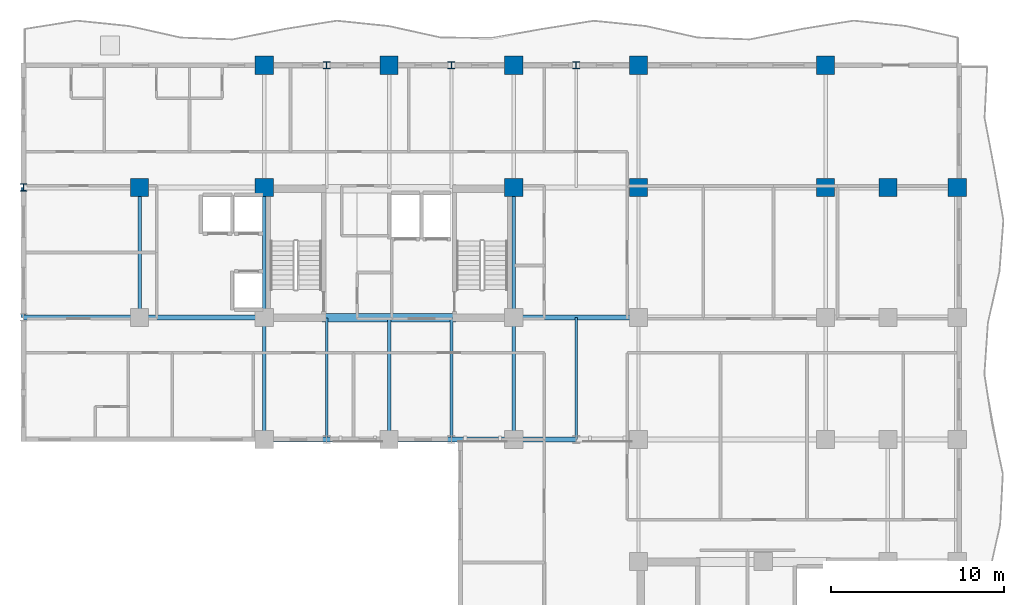
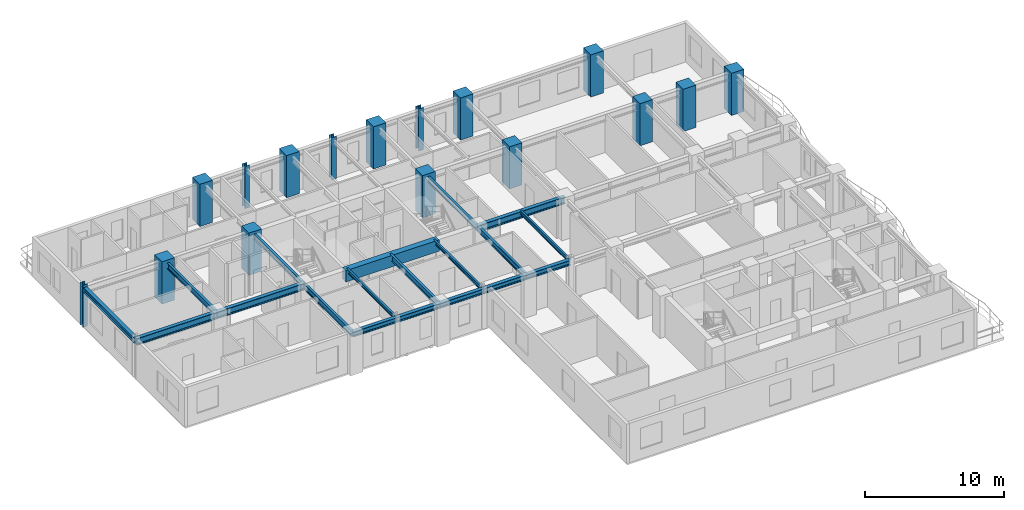
# One storey, part 2 of 13: 19 beams, 16 columns.
"""IFC4 building model written with IfcOpenShell, lengths in metres."""

import ifcopenshell
import ifcopenshell.guid

model = None  # the IFC model being written
_history = None  # IfcOwnerHistory: only IFC2X3 demands one
_inside = {}  # id of a spatial element -> (the spatial element, [elements in it])
_under = {}  # id of a project, library or spatial element -> (it, [spatial elements below it])
_declared = {}  # id of a project -> (the project, [libraries it declares])
_typed = {}  # id of a type object -> (the type object, [elements of that type])
_made_of = {}  # id of a material, layer set ... -> (it, [elements and type objects made of it])


def new_model(schema):
    """Start an empty IFC model of exactly this schema.

    Asked for "IFC4X3", IfcOpenShell would pick the latest addendum, in which some entities
    have other attributes; the version numbers below select the first issue.
    IFC2X3 requires an IfcOwnerHistory on every rooted entity: one is made here for all.
    """
    global model, _history
    if schema == "IFC4X3":
        model = ifcopenshell.file(schema_version=(4, 3, 0, 0))
    else:
        model = ifcopenshell.file(schema=schema)
    _inside.clear()
    _under.clear()
    _declared.clear()
    _typed.clear()
    _made_of.clear()
    _history = None
    if model.schema == "IFC2X3":
        org = make("IfcOrganization", Name="unknown")
        user = make(
            "IfcPersonAndOrganization",
            ThePerson=make("IfcPerson", FamilyName="unknown"),
            TheOrganization=org,
        )
        app = make(
            "IfcApplication",
            ApplicationDeveloper=org,
            Version="unknown",
            ApplicationFullName="unknown",
            ApplicationIdentifier="unknown",
        )
        _history = make(
            "IfcOwnerHistory",
            OwningUser=user,
            OwningApplication=app,
            ChangeAction="ADDED",
            CreationDate=0,
        )
    return model


def make(cls, **values):
    """One entity of the class cls with the attributes given. An attribute that is None is left unset."""
    return model.create_entity(
        cls, **{name: value for name, value in values.items() if value is not None}
    )


def rooted(cls, **values):
    """An entity with a GlobalId (a new one), such as an element, a storey or a relation."""
    return make(cls, GlobalId=ifcopenshell.guid.new(), OwnerHistory=_history, **values)


def si_unit(unit_type, name, prefix=None):
    """IfcSIUnit, for example si_unit("LENGTHUNIT", "METRE", prefix="MILLI")."""
    return make("IfcSIUnit", UnitType=unit_type, Prefix=prefix, Name=name)


def assignment(units):
    """IfcUnitAssignment: the units of a project."""
    return None if units is None else make("IfcUnitAssignment", Units=units)


def point(xyz):
    """IfcCartesianPoint."""
    return None if xyz is None else make("IfcCartesianPoint", Coordinates=xyz)


def direction(xyz):
    """IfcDirection."""
    return None if xyz is None else make("IfcDirection", DirectionRatios=xyz)


def frame(location, z_axis=None, x_axis=None):
    """IfcAxis2Placement3D, a coordinate frame: its origin and axes. An axis left out is left unset."""
    return make(
        "IfcAxis2Placement3D",
        Location=point(location),
        Axis=direction(z_axis),
        RefDirection=direction(x_axis),
    )


def frame_2d(location, x_axis=None):
    """IfcAxis2Placement2D, a coordinate frame in the plane: its origin and x axis."""
    return make(
        "IfcAxis2Placement2D", Location=point(location), RefDirection=direction(x_axis)
    )


def origin():
    """The frame at (0, 0, 0) with its axes left unset."""
    return frame((0.0, 0.0, 0.0))


def origin_2d():
    """The frame at (0, 0) in the plane with its x axis left unset."""
    return frame_2d((0.0, 0.0))


def place(relative_to, where):
    """IfcLocalPlacement: puts the frame where relative to a parent placement (None: the world)."""
    return make(
        "IfcLocalPlacement", PlacementRelTo=relative_to, RelativePlacement=where
    )


def context(
    kind, dimensions, precision=None, world=None, true_north=None, identifier=None
):
    """IfcGeometricRepresentationContext, for example the 3D "Model" context."""
    return make(
        "IfcGeometricRepresentationContext",
        ContextIdentifier=identifier,
        ContextType=kind,
        CoordinateSpaceDimension=dimensions,
        Precision=precision,
        WorldCoordinateSystem=world,
        TrueNorth=true_north,
    )


def subcontext(parent, identifier, kind, view, scale=None):
    """IfcGeometricRepresentationSubContext, for example "Body" below "Model"."""
    return make(
        "IfcGeometricRepresentationSubContext",
        ContextIdentifier=identifier,
        ContextType=kind,
        ParentContext=parent,
        TargetScale=scale,
        TargetView=view,
    )


def project(units=None, contexts=None):
    """IfcProject with its units and contexts."""
    return rooted(
        "IfcProject",
        Name="project",
        RepresentationContexts=contexts,
        UnitsInContext=assignment(units),
    )


def spatial(cls, under=None, at=None, **own):
    """A site, building, storey or space (cls), placed at a placement, below another one or the project."""
    s = rooted(cls, ObjectPlacement=at, **own)
    if under is not None:
        _under.setdefault(under.id(), (under, []))[1].append(s)
    return s


def profile(cls, at=None, kind="AREA", **sizes):
    """A parametric profile (cls). Its sizes go by their IFC names, for example OverallWidth=200.0."""
    return make(cls, ProfileType=kind, Position=at, **sizes)


def rectangle(**sizes):
    """IfcRectangleProfileDef."""
    return profile("IfcRectangleProfileDef", **sizes)


def i_section(**sizes):
    """IfcIShapeProfileDef."""
    return profile("IfcIShapeProfileDef", **sizes)


def extrude(swept, where, along, depth):
    """IfcExtrudedAreaSolid: the profile swept, set in the frame where, extruded along a direction by depth."""
    return make(
        "IfcExtrudedAreaSolid",
        SweptArea=swept,
        Position=where,
        ExtrudedDirection=direction(along),
        Depth=depth,
    )


def shape(context_of_items, identifier, shape_type, items):
    """IfcShapeRepresentation: the items that make up one representation, for example the "Body"."""
    return make(
        "IfcShapeRepresentation",
        ContextOfItems=context_of_items,
        RepresentationIdentifier=identifier,
        RepresentationType=shape_type,
        Items=items,
    )


def source(mapping_origin, context_of_items, identifier, shape_type, items):
    """IfcRepresentationMap: a shape defined once, which mapped items show again and again."""
    return make(
        "IfcRepresentationMap",
        MappingOrigin=mapping_origin,
        MappedRepresentation=shape(context_of_items, identifier, shape_type, items),
    )


def transform(
    local_origin,
    x_axis=None,
    y_axis=None,
    z_axis=None,
    scale=None,
    scale2=None,
    scale3=None,
    uniform=True,
):
    """IfcCartesianTransformationOperator3D, or its non-uniform kind. x_axis, y_axis, z_axis: its Axis1, 2, 3."""
    if uniform:
        return make(
            "IfcCartesianTransformationOperator3D",
            Axis1=direction(x_axis),
            Axis2=direction(y_axis),
            LocalOrigin=point(local_origin),
            Scale=scale,
            Axis3=direction(z_axis),
        )
    return make(
        "IfcCartesianTransformationOperator3DnonUniform",
        Axis1=direction(x_axis),
        Axis2=direction(y_axis),
        LocalOrigin=point(local_origin),
        Scale=scale,
        Axis3=direction(z_axis),
        Scale2=scale2,
        Scale3=scale3,
    )


def mapped(mapping_source, mapping_target):
    """IfcMappedItem: shows the shape of a source again, moved by a transform."""
    return make(
        "IfcMappedItem", MappingSource=mapping_source, MappingTarget=mapping_target
    )


def material(Name=None, Category=None):
    """IfcMaterial."""
    return make("IfcMaterial", Name=Name, Category=Category)


def material_profile(
    of_material, cross_section, Name=None, Category=None, Priority=None
):
    """IfcMaterialProfile: a cross section and its material."""
    return make(
        "IfcMaterialProfile",
        Name=Name,
        Material=of_material,
        Profile=cross_section,
        Priority=Priority,
        Category=Category,
    )


def profile_set(profiles, Name=None, composite=None):
    """IfcMaterialProfileSet."""
    return make(
        "IfcMaterialProfileSet",
        Name=Name,
        MaterialProfiles=profiles,
        CompositeProfile=composite,
    )


def made_of(thing, what):
    """Note that an element or type object is made of a material, layer set ...; save() writes the relation."""
    if what is not None:
        _made_of.setdefault(what.id(), (what, []))[1].append(thing)
    return thing


def type_object(cls, material=None, **own):
    """A type object (cls), such as IfcWallType, which elements share."""
    return made_of(rooted(cls, **own), material)


def element(
    cls,
    number,
    at=None,
    inside=None,
    cuts=None,
    type_object=None,
    material=None,
    context=None,
    identifier="Body",
    shape_type=None,
    held_by="IfcProductDefinitionShape",
    body=None,
    shapes=None,
    **own,
):
    """One element of the class cls, such as IfcWall. Its Tag is "e" and its number.

    at: its placement. inside: the storey or other place that contains it. cuts: it is an
    opening in that element (IfcRelVoidsElement). A single representation is given by context,
    identifier, shape_type and body (its items); several are given by shapes. held_by: the class
    of the entity that holds the representations. save() writes the other relations.
    """
    e = rooted(cls, Tag="e%d" % number, ObjectPlacement=at, **own)
    if body is not None:
        shapes = [shape(context, identifier, shape_type, body)]
    if shapes is not None:
        e.Representation = make(held_by, Representations=shapes)
    if inside is not None:
        _inside.setdefault(inside.id(), (inside, []))[1].append(e)
    if cuts is not None:
        rooted(
            "IfcRelVoidsElement", RelatingBuildingElement=cuts, RelatedOpeningElement=e
        )
    if type_object is not None:
        _typed.setdefault(type_object.id(), (type_object, []))[1].append(e)
    return made_of(e, material)


def aggregate(whole, parts):
    """IfcRelAggregates: a whole, such as a stair, and the parts it consists of."""
    return rooted("IfcRelAggregates", RelatingObject=whole, RelatedObjects=parts)


def save(model, path):
    """Write the relations noted so far, then the file.

    IfcRelAggregates (storeys below a building ...), IfcRelContainedInSpatialStructure (elements
    in a storey), IfcRelDefinesByType, IfcRelAssociatesMaterial and IfcRelDeclares: one each for
    every whole, place, type object, material and project.
    """
    for whole, parts in _under.values():
        aggregate(whole, parts)
    for where, things in _inside.values():
        rooted(
            "IfcRelContainedInSpatialStructure",
            RelatedElements=things,
            RelatingStructure=where,
        )
    for kind, things in _typed.values():
        rooted("IfcRelDefinesByType", RelatedObjects=things, RelatingType=kind)
    for what, things in _made_of.values():
        rooted("IfcRelAssociatesMaterial", RelatedObjects=things, RelatingMaterial=what)
    for by, libraries in _declared.values():
        rooted("IfcRelDeclares", RelatingContext=by, RelatedDefinitions=libraries)
    model.write(path)


model = new_model("IFC4")

# Units and contexts
model_context = context("Model", 3, precision=1e-05, world=origin(), true_north=direction((0.0, 1.0)))
body_context = subcontext(model_context, "Body", "Model", "MODEL_VIEW")
ifc_project = project(units=[si_unit("LENGTHUNIT", "METRE"), si_unit("AREAUNIT", "SQUARE_METRE"), si_unit("VOLUMEUNIT", "CUBIC_METRE"), si_unit("PLANEANGLEUNIT", "RADIAN"), si_unit("MASSUNIT", "GRAM", prefix="KILO")], contexts=[model_context])

# Site, building, storey
site_placement = place(None, origin())
site = spatial("IfcSite", under=ifc_project, at=site_placement, CompositionType="ELEMENT")
building_placement = place(site_placement, origin())
building = spatial("IfcBuilding", under=site, at=building_placement, Name="Kaliganga Portal Commons", CompositionType="ELEMENT")
storey_placement = place(building_placement, frame((0.0, 0.0, 158.699951171875)))
storey = spatial("IfcBuildingStorey", under=building, at=storey_placement, Name="L40", CompositionType="ELEMENT", Elevation=158.699951171875)

# Columns
ifc_material_1 = material(Name="Concrete C60/75", Category="concrete")
ifc_material_profile_1 = material_profile(ifc_material_1, rectangle(XDim=1.050048828125, YDim=1.050048828125, at=origin_2d()), Name="RC 1050x1050")
ifc_profile_set_1 = profile_set([ifc_material_profile_1], Name="Concrete C60/75")
column_type_1 = type_object("IfcColumnType", Name="COL-MEGA-Z3", PredefinedType="COLUMN", material=ifc_profile_set_1)
shared_shape_1 = source(origin(), body_context, "Body", "SweptSolid", [
    extrude(rectangle(XDim=1.050048828125, YDim=1.050048828125, at=origin_2d()), origin(), (0.0, 0.0, 1.0), 3.699951171875),
])
for number, where, z_axis, x_axis, name in (
    (1, (7.199951171875, 36.14990234375, 0.0), (0.0, 0.0, 1.0), (1.0, 0.0, 0.0), "Column MC-04 L40"),
    (2, (14.39990234375, 36.14990234375, 0.0), (0.0, 0.0, 1.0), (1.0, 0.0, 0.0), "Column MC-04 L40"),
    (3, (14.39990234375, 43.199951171875, 0.0), (0.0, 0.0, 1.0), (1.0, 0.0, 0.0), "Column MC-04 L40"),
    (4, (21.60009765625, 43.199951171875, 0.0), (0.0, 0.0, 1.0), (1.0, 0.0, 0.0), "Column MC-04 L40"),
    (5, (28.800048828125, 36.14990234375, 0.0), (0.0, 0.0, 1.0), (1.0, 0.0, 0.0), "Column MC-04 L40"),
    (6, (28.800048828125, 43.199951171875, 0.0), (0.0, 0.0, 1.0), (1.0, 0.0, 0.0), "Column MC-04 L40"),
    (7, (36.0, 43.199951171875, 0.0), (0.0, 0.0, 1.0), (1.0, 0.0, 0.0), "Column MC-04 L40"),
    (8, (36.0, 36.14990234375, 0.0), (0.0, 0.0, 1.0), (1.0, 0.0, 0.0), "Column MC-04 L40"),
    (9, (46.800048828125, 36.14990234375, 0.0), (0.0, 0.0, 1.0), (1.0, 0.0, 0.0), "Column MC-04 L40"),
    (10, (46.800048828125, 43.199951171875, 0.0), (0.0, 0.0, 1.0), (1.0, 0.0, 0.0), "Column MC-04 L40"),
    (11, (50.39990234375, 36.14990234375, 0.0), (0.0, 0.0, 1.0), (1.0, 0.0, 0.0), "Column MC-04 L40"),
    (12, (54.39990234375, 36.14990234375, 0.0), (0.0, 0.0, 1.0), (1.0, 0.0, 0.0), "Column MC-04 L40"),
):
    element("IfcColumn", number, at=place(storey_placement, frame(where, z_axis=z_axis, x_axis=x_axis)), inside=storey, type_object=column_type_1, Name=name, PredefinedType="COLUMN", context=body_context, shape_type="MappedRepresentation", body=[
        mapped(shared_shape_1, transform((0.0, 0.0, 0.0), x_axis=(1.0, 0.0, 0.0), y_axis=(0.0, 1.0, 0.0), z_axis=(0.0, 0.0, 1.0), scale=1.0)),
    ])
ifc_material_2 = material(Name="Structural steel S460M", Category="steel")
ifc_material_profile_2 = material_profile(ifc_material_2, i_section(OverallWidth=0.404052734375, OverallDepth=0.4140625, WebThickness=0.0205078125, FlangeThickness=0.028076171875, FilletRadius=0.014892578125, at=origin_2d()), Name="HD 400x347")
ifc_profile_set_2 = profile_set([ifc_material_profile_2], Name="Structural steel S460M wide-flange")
column_type_2 = type_object("IfcColumnType", Name="COL-TUBE-B3", PredefinedType="COLUMN", material=ifc_profile_set_2)
shared_shape_2 = source(origin(), body_context, "Body", "SweptSolid", [
    extrude(i_section(OverallWidth=0.404052734375, OverallDepth=0.4140625, WebThickness=0.0205078125, FlangeThickness=0.028076171875, FilletRadius=0.014892578125, at=origin_2d()), origin(), (0.0, 0.0, 1.0), 3.699951171875),
])
for number, where, z_axis, x_axis, name in (
    (13, (0.5, 36.14990234375, 0.0), (0.0, 0.0, 1.0), (1.0, 0.0, 0.0), "Column TC-03 L40"),
    (14, (18.0, 43.199951171875, 0.0), (0.0, 0.0, 1.0), (1.0, 0.0, 0.0), "Column TC-03 L40"),
    (15, (25.199951171875, 43.199951171875, 0.0), (0.0, 0.0, 1.0), (1.0, 0.0, 0.0), "Column TC-03 L40"),
    (16, (32.39990234375, 43.199951171875, 0.0), (0.0, 0.0, 1.0), (1.0, 0.0, 0.0), "Column TC-03 L40"),
):
    element("IfcColumn", number, at=place(storey_placement, frame(where, z_axis=z_axis, x_axis=x_axis)), inside=storey, type_object=column_type_2, Name=name, PredefinedType="COLUMN", context=body_context, shape_type="MappedRepresentation", body=[
        mapped(shared_shape_2, transform((0.0, 0.0, 0.0), x_axis=(1.0, 0.0, 0.0), y_axis=(0.0, 1.0, 0.0), z_axis=(0.0, 0.0, 1.0), scale=1.0)),
    ])

# Beams
ifc_material_3 = material(Name="Concrete C50/60", Category="concrete")
ifc_material_profile_3 = material_profile(ifc_material_3, rectangle(XDim=0.5, YDim=1.0, at=origin_2d()), Name="RC 500x1000")
ifc_profile_set_3 = profile_set([ifc_material_profile_3], Name="Concrete C50/60")
beam_type_1 = type_object("IfcBeamType", Name="BM-CPL-1000", PredefinedType="LINTEL", material=ifc_profile_set_3)
shared_shape_3 = source(origin(), body_context, "Body", "SweptSolid", [
    extrude(rectangle(XDim=0.5, YDim=1.0, at=origin_2d()), origin(), (0.0, 0.0, 1.0), 7.739990234375),
])
beam_1_placement = place(storey_placement, frame((17.72998046875, 28.625, 2.9599609375), z_axis=(1.0, 0.0, 0.0), x_axis=(0.0, 1.0, 0.0)))
element("IfcBeam", 17, at=beam_1_placement, inside=storey, type_object=beam_type_1, Name="BM CPL COREA L40 S", PredefinedType="LINTEL", context=body_context, shape_type="MappedRepresentation", body=[
    mapped(shared_shape_3, transform((0.0, 0.0, 0.0), x_axis=(1.0, 0.0, 0.0), y_axis=(0.0, 1.0, 0.0), z_axis=(0.0, 0.0, 1.0), scale=1.0)),
])
ifc_material_4 = material(Name="Structural steel S355J2", Category="steel")
ifc_material_profile_4 = material_profile(ifc_material_4, i_section(OverallWidth=0.199951171875, OverallDepth=0.5, WebThickness=0.01025390625, FlangeThickness=0.01611328125, FilletRadius=0.02099609375, at=origin_2d()), Name="IPE 500")
ifc_profile_set_4 = profile_set([ifc_material_profile_4], Name="Structural steel S355J2 wide-flange")
beam_type_2 = type_object("IfcBeamType", Name="BM-FLR-500", PredefinedType="BEAM", material=ifc_profile_set_4)
shared_shape_4 = source(origin(), body_context, "Body", "SweptSolid", [
    extrude(i_section(OverallWidth=0.199951171875, OverallDepth=0.5, WebThickness=0.01025390625, FlangeThickness=0.01611328125, FilletRadius=0.02099609375, at=origin_2d()), origin(), (0.0, 0.0, 1.0), 7.5),
])
for number, where, z_axis, x_axis, name in (
    (18, (7.199951171875, 28.64990234375, 3.2099609375), (0.0, 1.0, 0.0), (-1.0, 0.0, 0.0), "BM G L40 AW72"),
    (19, (14.39990234375, 28.64990234375, 3.2099609375), (0.0, 1.0, 0.0), (-1.0, 0.0, 0.0), "BM G L40 AM144"),
    (20, (28.800048828125, 28.64990234375, 3.2099609375), (0.0, 1.0, 0.0), (-1.0, 0.0, 0.0), "BM G L40 AM288"),
):
    element("IfcBeam", number, at=place(storey_placement, frame(where, z_axis=z_axis, x_axis=x_axis)), inside=storey, type_object=beam_type_2, Name=name, PredefinedType="BEAM", context=body_context, shape_type="MappedRepresentation", body=[
        mapped(shared_shape_4, transform((0.0, 0.0, 0.0), x_axis=(1.0, 0.0, 0.0), y_axis=(0.0, 1.0, 0.0), z_axis=(0.0, 0.0, 1.0), scale=1.0)),
    ])
shared_shape_5 = source(origin(), body_context, "Body", "SweptSolid", [
    extrude(i_section(OverallWidth=0.199951171875, OverallDepth=0.5, WebThickness=0.01025390625, FlangeThickness=0.01611328125, FilletRadius=0.02099609375, at=origin_2d()), origin(), (0.0, 0.0, 1.0), 7.0498046875),
])
for number, where, z_axis, x_axis, name in (
    (21, (14.39990234375, 21.60009765625, 3.2099609375), (0.0, 1.0, 0.0), (-1.0, 0.0, 0.0), "BM G L40 AS144"),
    (22, (28.800048828125, 21.60009765625, 3.2099609375), (0.0, 1.0, 0.0), (-1.0, 0.0, 0.0), "BM G L40 AS288"),
):
    element("IfcBeam", number, at=place(storey_placement, frame(where, z_axis=z_axis, x_axis=x_axis)), inside=storey, type_object=beam_type_2, Name=name, PredefinedType="BEAM", context=body_context, shape_type="MappedRepresentation", body=[
        mapped(shared_shape_5, transform((0.0, 0.0, 0.0), x_axis=(1.0, 0.0, 0.0), y_axis=(0.0, 1.0, 0.0), z_axis=(0.0, 0.0, 1.0), scale=1.0)),
    ])
ifc_material_profile_5 = material_profile(ifc_material_4, i_section(OverallWidth=0.300048828125, OverallDepth=0.449951171875, WebThickness=0.013916015625, FlangeThickness=0.02587890625, FilletRadius=0.027099609375, at=origin_2d()), Name="HE 450 B")
ifc_profile_set_5 = profile_set([ifc_material_profile_5], Name="Structural steel S355J2 wide-flange")
beam_type_3 = type_object("IfcBeamType", Name="BM-SPAND-450", PredefinedType="SPANDREL", material=ifc_profile_set_5)
shared_shape_6 = source(origin(), body_context, "Body", "SweptSolid", [
    extrude(i_section(OverallWidth=0.300048828125, OverallDepth=0.449951171875, WebThickness=0.013916015625, FlangeThickness=0.02587890625, FilletRadius=0.027099609375, at=origin_2d()), origin(), (0.0, 0.0, 1.0), 3.60009765625),
])
for number, where, z_axis, x_axis, name in (
    (23, (14.39990234375, 21.60009765625, 3.235107421875), (1.0, 0.0, 0.0), (0.0, 1.0, 0.0), "BM SP L40 AS 1"),
    (24, (18.0, 21.60009765625, 3.235107421875), (1.0, 0.0, 0.0), (0.0, 1.0, 0.0), "BM SP L40 AS 2"),
    (25, (25.199951171875, 21.60009765625, 3.235107421875), (1.0, 0.0, 0.0), (0.0, 1.0, 0.0), "BM SP L40 AS 4"),
):
    element("IfcBeam", number, at=place(storey_placement, frame(where, z_axis=z_axis, x_axis=x_axis)), inside=storey, type_object=beam_type_3, Name=name, PredefinedType="SPANDREL", context=body_context, shape_type="MappedRepresentation", body=[
        mapped(shared_shape_6, transform((0.0, 0.0, 0.0), x_axis=(1.0, 0.0, 0.0), y_axis=(0.0, 1.0, 0.0), z_axis=(0.0, 0.0, 1.0), scale=1.0)),
    ])
shared_shape_7 = source(origin(), body_context, "Body", "SweptSolid", [
    extrude(i_section(OverallWidth=0.300048828125, OverallDepth=0.449951171875, WebThickness=0.013916015625, FlangeThickness=0.02587890625, FilletRadius=0.027099609375, at=origin_2d()), origin(), (0.0, 0.0, 1.0), 3.599853515625),
])
for number, where, z_axis, x_axis, name in (
    (26, (21.60009765625, 21.60009765625, 3.235107421875), (1.0, 0.0, 0.0), (0.0, 1.0, 0.0), "BM SP L40 AS 3"),
    (27, (28.800048828125, 21.60009765625, 3.235107421875), (1.0, 0.0, 0.0), (0.0, 1.0, 0.0), "BM SP L40 AS 5"),
):
    element("IfcBeam", number, at=place(storey_placement, frame(where, z_axis=z_axis, x_axis=x_axis)), inside=storey, type_object=beam_type_3, Name=name, PredefinedType="SPANDREL", context=body_context, shape_type="MappedRepresentation", body=[
        mapped(shared_shape_7, transform((0.0, 0.0, 0.0), x_axis=(1.0, 0.0, 0.0), y_axis=(0.0, 1.0, 0.0), z_axis=(0.0, 0.0, 1.0), scale=1.0)),
    ])
ifc_material_profile_6 = material_profile(ifc_material_4, i_section(OverallWidth=0.159912109375, OverallDepth=0.330078125, WebThickness=0.007568359375, FlangeThickness=0.011474609375, FilletRadius=0.01806640625, at=origin_2d()), Name="IPE 330")
ifc_profile_set_6 = profile_set([ifc_material_profile_6], Name="Structural steel S355J2 wide-flange")
beam_type_4 = type_object("IfcBeamType", Name="BM-JST-330", PredefinedType="JOIST", material=ifc_profile_set_6)
shared_shape_8 = source(origin(), body_context, "Body", "SweptSolid", [
    extrude(i_section(OverallWidth=0.159912109375, OverallDepth=0.330078125, WebThickness=0.007568359375, FlangeThickness=0.011474609375, FilletRadius=0.01806640625, at=origin_2d()), origin(), (0.0, 0.0, 1.0), 7.0498046875),
])
beam_2_placement = place(storey_placement, frame((32.39990234375, 21.60009765625, 3.295166015625), z_axis=(0.0, 1.0, 0.0), x_axis=(-1.0, 0.0, 0.0)))
element("IfcBeam", 28, at=beam_2_placement, inside=storey, type_object=beam_type_4, Name="BM G L40 AS324", PredefinedType="JOIST", context=body_context, shape_type="MappedRepresentation", body=[
    mapped(shared_shape_8, transform((0.0, 0.0, 0.0), x_axis=(1.0, 0.0, 0.0), y_axis=(0.0, 1.0, 0.0), z_axis=(0.0, 0.0, 1.0), scale=1.0)),
])
shared_shape_9 = source(origin(), body_context, "Body", "SweptSolid", [
    extrude(i_section(OverallWidth=0.300048828125, OverallDepth=0.449951171875, WebThickness=0.013916015625, FlangeThickness=0.02587890625, FilletRadius=0.027099609375, at=origin_2d()), origin(), (0.0, 0.0, 1.0), 7.5),
])
beam_3_placement = place(storey_placement, frame((0.5, 28.64990234375, 3.235107421875), z_axis=(0.0, 1.0, 0.0), x_axis=(-1.0, 0.0, 0.0)))
element("IfcBeam", 29, at=beam_3_placement, inside=storey, type_object=beam_type_3, Name="BM SP L40 AW", PredefinedType="SPANDREL", context=body_context, shape_type="MappedRepresentation", body=[
    mapped(shared_shape_9, transform((0.0, 0.0, 0.0), x_axis=(1.0, 0.0, 0.0), y_axis=(0.0, 1.0, 0.0), z_axis=(0.0, 0.0, 1.0), scale=1.0)),
])
ifc_material_profile_7 = material_profile(ifc_material_4, i_section(OverallWidth=0.300048828125, OverallDepth=0.60009765625, WebThickness=0.015380859375, FlangeThickness=0.030029296875, FilletRadius=0.027099609375, at=origin_2d()), Name="HE 600 B")
ifc_profile_set_7 = profile_set([ifc_material_profile_7], Name="Structural steel S355J2 wide-flange")
beam_type_5 = type_object("IfcBeamType", Name="BM-GIRD-600", PredefinedType="USERDEFINED", material=ifc_profile_set_7)
shared_shape_10 = source(origin(), body_context, "Body", "SweptSolid", [
    extrude(i_section(OverallWidth=0.300048828125, OverallDepth=0.60009765625, WebThickness=0.015380859375, FlangeThickness=0.030029296875, FilletRadius=0.027099609375, at=origin_2d()), origin(), (0.0, 0.0, 1.0), 6.699951171875),
])
beam_4_placement = place(storey_placement, frame((0.5, 28.64990234375, 3.16015625), z_axis=(1.0, 0.0, 0.0), x_axis=(0.0, 1.0, 0.0)))
element("IfcBeam", 30, at=beam_4_placement, inside=storey, type_object=beam_type_5, Name="BM G L40 WAH_S 1", ObjectType="GIRDER", PredefinedType="USERDEFINED", context=body_context, shape_type="MappedRepresentation", body=[
    mapped(shared_shape_10, transform((0.0, 0.0, 0.0), x_axis=(1.0, 0.0, 0.0), y_axis=(0.0, 1.0, 0.0), z_axis=(0.0, 0.0, 1.0), scale=1.0)),
])
shared_shape_11 = source(origin(), body_context, "Body", "SweptSolid", [
    extrude(i_section(OverallWidth=0.300048828125, OverallDepth=0.60009765625, WebThickness=0.015380859375, FlangeThickness=0.030029296875, FilletRadius=0.027099609375, at=origin_2d()), origin(), (0.0, 0.0, 1.0), 7.199951171875),
])
for number, where, z_axis, x_axis, name in (
    (31, (7.199951171875, 28.64990234375, 3.16015625), (1.0, 0.0, 0.0), (0.0, 1.0, 0.0), "BM G L40 WAH_S 2"),
    (32, (28.800048828125, 28.64990234375, 3.16015625), (1.0, 0.0, 0.0), (0.0, 1.0, 0.0), "BM G L40 WAE_S 1"),
):
    element("IfcBeam", number, at=place(storey_placement, frame(where, z_axis=z_axis, x_axis=x_axis)), inside=storey, type_object=beam_type_5, Name=name, ObjectType="GIRDER", PredefinedType="USERDEFINED", context=body_context, shape_type="MappedRepresentation", body=[
        mapped(shared_shape_11, transform((0.0, 0.0, 0.0), x_axis=(1.0, 0.0, 0.0), y_axis=(0.0, 1.0, 0.0), z_axis=(0.0, 0.0, 1.0), scale=1.0)),
    ])
shared_shape_12 = source(origin(), body_context, "Body", "SweptSolid", [
    extrude(i_section(OverallWidth=0.159912109375, OverallDepth=0.330078125, WebThickness=0.007568359375, FlangeThickness=0.011474609375, FilletRadius=0.01806640625, at=origin_2d()), origin(), (0.0, 0.0, 1.0), 7.02490234375),
])
for number, where, z_axis, x_axis, name in (
    (33, (18.0, 21.60009765625, 3.295166015625), (0.0, 1.0, 0.0), (-1.0, 0.0, 0.0), "BM G L40 AS180"),
    (34, (25.199951171875, 21.60009765625, 3.295166015625), (0.0, 1.0, 0.0), (-1.0, 0.0, 0.0), "BM G L40 AS252"),
):
    element("IfcBeam", number, at=place(storey_placement, frame(where, z_axis=z_axis, x_axis=x_axis)), inside=storey, type_object=beam_type_4, Name=name, PredefinedType="JOIST", context=body_context, shape_type="MappedRepresentation", body=[
        mapped(shared_shape_12, transform((0.0, 0.0, 0.0), x_axis=(1.0, 0.0, 0.0), y_axis=(0.0, 1.0, 0.0), z_axis=(0.0, 0.0, 1.0), scale=1.0)),
    ])
shared_shape_13 = source(origin(), body_context, "Body", "SweptSolid", [
    extrude(i_section(OverallWidth=0.199951171875, OverallDepth=0.5, WebThickness=0.01025390625, FlangeThickness=0.01611328125, FilletRadius=0.02099609375, at=origin_2d()), origin(), (0.0, 0.0, 1.0), 7.02490234375),
])
beam_5_placement = place(storey_placement, frame((21.60009765625, 21.60009765625, 3.2099609375), z_axis=(0.0, 1.0, 0.0), x_axis=(-1.0, 0.0, 0.0)))
element("IfcBeam", 35, at=beam_5_placement, inside=storey, type_object=beam_type_2, Name="BM G L40 AS216", PredefinedType="BEAM", context=body_context, shape_type="MappedRepresentation", body=[
    mapped(shared_shape_13, transform((0.0, 0.0, 0.0), x_axis=(1.0, 0.0, 0.0), y_axis=(0.0, 1.0, 0.0), z_axis=(0.0, 0.0, 1.0), scale=1.0)),
])

save(model, "model.ifc")
